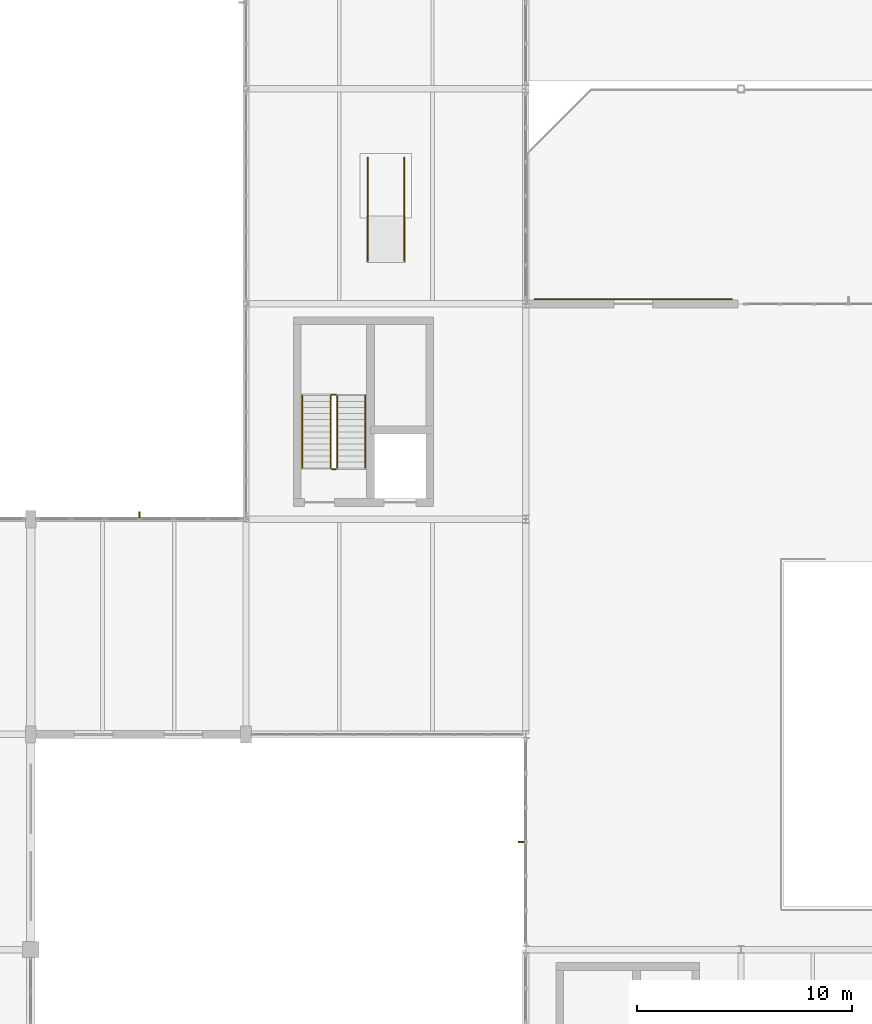
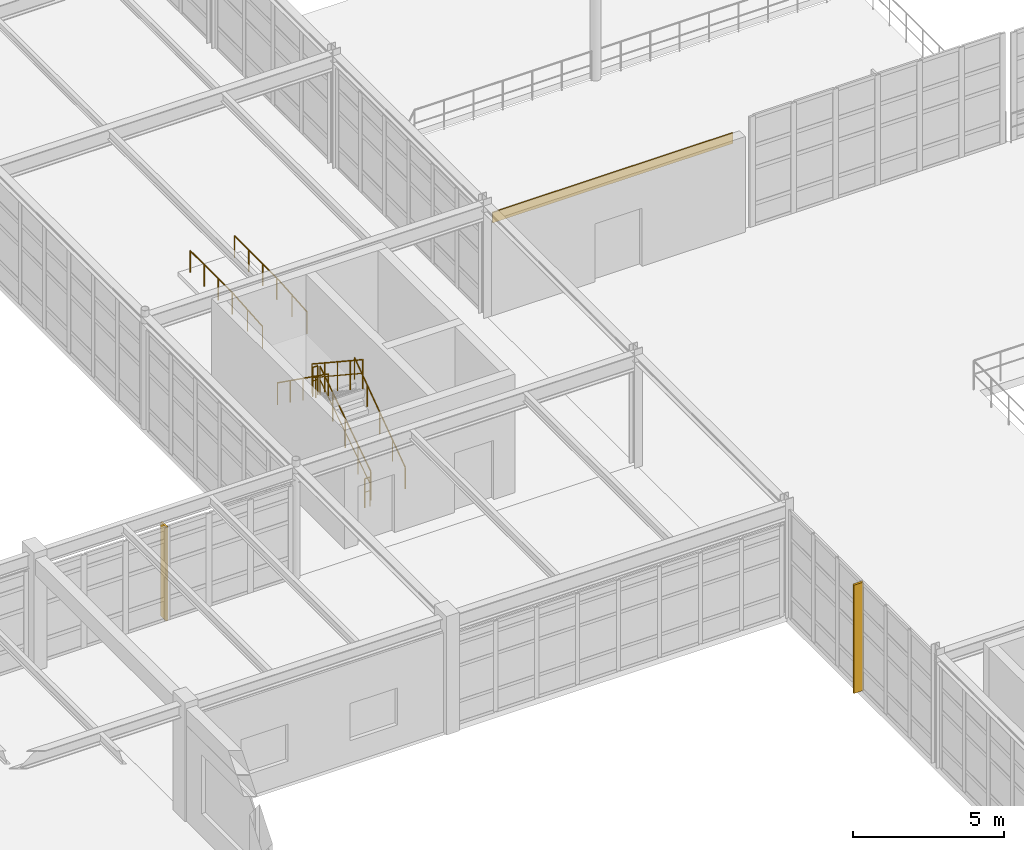
# One storey, part 131 of 139: 8 railings, 2 shading devices, 1 covering.
"""IFC4 building model written with IfcOpenShell, lengths in metres."""

from ifc_helpers import new_model, si_unit, direction, frame, origin, origin_2d, place, context, subcontext, project, spatial, polyline, rectangle, circle, outline, extrude, material, layer, layer_set, type_object, element, save


model = new_model("IFC4")

# Units and contexts
model_context = context("Model", 3, precision=1e-05, world=origin(), true_north=direction((0.0, 1.0)))
body_context = subcontext(model_context, "Body", "Model", "MODEL_VIEW")
ifc_project = project(units=[si_unit("LENGTHUNIT", "METRE"), si_unit("AREAUNIT", "SQUARE_METRE"), si_unit("VOLUMEUNIT", "CUBIC_METRE"), si_unit("PLANEANGLEUNIT", "RADIAN"), si_unit("MASSUNIT", "GRAM", prefix="KILO"), si_unit("THERMODYNAMICTEMPERATUREUNIT", "KELVIN"), si_unit("POWERUNIT", "WATT")], contexts=[model_context])

# Site, building, storey
site_placement = place(None, origin())
site = spatial("IfcSite", under=ifc_project, at=site_placement, CompositionType="ELEMENT")
building_placement = place(site_placement, origin())
building = spatial("IfcBuilding", under=site, at=building_placement, Name="Korenveer Ferry Terminal", CompositionType="ELEMENT")
storey_placement = place(building_placement, frame((0.0, 0.0, 5.39990234375)))
storey = spatial("IfcBuildingStorey", under=building, at=storey_placement, Name="L01", CompositionType="ELEMENT", Elevation=5.39990234375)

# Covering
ifc_material_1 = material(Name="Carved Belgian bluestone spandrel cladding", Category="masonry")
ifc_layer = layer(ifc_material_1, 0.050048828125)
ifc_layer_set = layer_set([ifc_layer], Name="Carved Belgian bluestone spandrel cladding")
covering_type = type_object("IfcCoveringType", Name="ENV-COV-STONE", PredefinedType="CLADDING", material=ifc_layer_set)
covering_placement = place(storey_placement, frame((0.0, 0.0, 3.4501953125)))
element("IfcCovering", 1, at=covering_placement, inside=storey, type_object=covering_type, Name="Belgian bluestone spandrel band 16", PredefinedType="CLADDING", context=body_context, shape_type="SweptSolid", body=[
    extrude(outline(polyline([(53.39990234375, 90.18505859375), (62.60009765625, 90.18505859375), (62.60009765625, 90.235107421875), (53.39990234375, 90.235107421875), (53.39990234375, 90.18505859375)])), origin(), (0.0, 0.0, 1.0), 0.419921875),
])

# Shading devices
ifc_material_2 = material(Name="Anodised bronze aluminium solar fin", Category="aluminium")
shading_device_type = type_object("IfcShadingDeviceType", Name="ENV-SHD-FIN", PredefinedType="JALOUSIE", material=ifc_material_2)
shading_device_1_placement = place(storey_placement, frame((35.056640625, 80.159912109375, -0.02001953125), z_axis=(0.0, 0.0, 1.0), x_axis=(0.0, 1.0, 0.0)))
element("IfcShadingDevice", 2, at=shading_device_1_placement, inside=storey, type_object=shading_device_type, Name="Gothic solar fin 22", PredefinedType="JALOUSIE", context=body_context, shape_type="SweptSolid", body=[
    extrude(rectangle(XDim=0.360107421875, YDim=0.080078125, at=origin_2d()), origin(), (0.0, 0.0, 1.0), 3.7900390625),
])
shading_device_2_placement = place(storey_placement, frame((52.840087890625, 65.0, -0.019775390625), z_axis=(0.0, 0.0, 1.0), x_axis=(1.0, 0.0, 0.0)))
element("IfcShadingDevice", 3, at=shading_device_2_placement, inside=storey, type_object=shading_device_type, Name="Gothic solar fin 30", PredefinedType="JALOUSIE", context=body_context, shape_type="SweptSolid", body=[
    extrude(rectangle(XDim=0.360107421875, YDim=0.080078125, at=origin_2d()), origin(), (0.0, 0.0, 1.0), 4.3798828125),
])

# Railings
ifc_material_3 = material(Name="Brushed stainless steel handrail", Category="steel")
railing_type_1 = type_object("IfcRailingType", Name="INT-RL-HND90", PredefinedType="HANDRAIL", material=ifc_material_3)
railing_1_placement = place(storey_placement, frame((45.550048828125, 82.3798828125, 0.184814453125)))
element("IfcRailing", 4, at=railing_1_placement, inside=storey, type_object=railing_type_1, Name="L01 ST07 stair handrail 1", PredefinedType="HANDRAIL", context=body_context, shape_type="SweptSolid", body=[
    extrude(circle(Radius=0.02392578125, at=origin_2d()), frame((0.0, 0.0, 0.8759765625), z_axis=(0.0, 0.813753445783, 0.581210228297), x_axis=(-1.0, 0.0, 0.0)), (0.0, 0.0, 1.0), 4.129150390625),
    extrude(circle(Radius=0.02099609375, at=origin_2d()), origin(), (0.0, 0.0, 1.0), 0.851806640625),
    extrude(circle(Radius=0.02099609375, at=origin_2d()), frame((0.0, 0.840087890625, 0.60009765625)), (0.0, 0.0, 1.0), 0.851806640625),
    extrude(circle(Radius=0.02099609375, at=origin_2d()), frame((0.0, 1.68017578125, 1.199951171875)), (0.0, 0.0, 1.0), 0.851806640625),
    extrude(circle(Radius=0.02099609375, at=origin_2d()), frame((0.0, 2.52001953125, 1.7998046875)), (0.0, 0.0, 1.0), 0.851806640625),
    extrude(circle(Radius=0.02099609375, at=origin_2d()), frame((0.0, 3.360107421875, 2.39990234375)), (0.0, 0.0, 1.0), 0.851806640625),
])
railing_2_placement = place(storey_placement, frame((42.610107421875, 85.739990234375, 2.584716796875)))
element("IfcRailing", 5, at=railing_2_placement, inside=storey, type_object=railing_type_1, Name="L01 ST07 stair handrail 2", PredefinedType="HANDRAIL", context=body_context, shape_type="SweptSolid", body=[
    extrude(circle(Radius=0.02392578125, at=origin_2d()), frame((0.0, 0.0, 0.8759765625), z_axis=(0.0, -0.813753445783, 0.581210228297), x_axis=(1.0, 0.0, 0.0)), (0.0, 0.0, 1.0), 4.129150390625),
    extrude(circle(Radius=0.02099609375, at=origin_2d()), origin(), (0.0, 0.0, 1.0), 0.851806640625),
    extrude(circle(Radius=0.02099609375, at=origin_2d()), frame((0.0, -0.840087890625, 0.60009765625)), (0.0, 0.0, 1.0), 0.851806640625),
    extrude(circle(Radius=0.02099609375, at=origin_2d()), frame((0.0, -1.68017578125, 1.199951171875)), (0.0, 0.0, 1.0), 0.851806640625),
    extrude(circle(Radius=0.02099609375, at=origin_2d()), frame((0.0, -2.52001953125, 1.7998046875)), (0.0, 0.0, 1.0), 0.851806640625),
    extrude(circle(Radius=0.02099609375, at=origin_2d()), frame((0.0, -3.360107421875, 2.39990234375)), (0.0, 0.0, 1.0), 0.851806640625),
])
ifc_material_4 = material(Name="Brushed stainless steel ramp handrail", Category="steel")
railing_type_2 = type_object("IfcRailingType", Name="INT-RL-RMPHND", PredefinedType="HANDRAIL", material=ifc_material_4)
for number, where, name in (
    (6, (45.64990234375, 92.0, 0.0), "West Berth Gate Accessible Ramp handrail W"),
    (7, (47.35009765625, 92.0, 0.0), "West Berth Gate Accessible Ramp handrail E"),
):
    element("IfcRailing", number, at=place(storey_placement, frame(where)), inside=storey, type_object=railing_type_2, Name=name, PredefinedType="HANDRAIL", context=body_context, shape_type="SweptSolid", body=[
        extrude(circle(Radius=0.02392578125, at=origin_2d()), frame((0.0, 0.0, 0.8759765625), z_axis=(0.0, 0.996809085095, 0.079822602517), x_axis=(-1.0, 0.0, 0.0)), (0.0, 0.0, 1.0), 2.00634765625),
        extrude(circle(Radius=0.02392578125, at=origin_2d()), frame((0.0, 2.0, 1.0361328125), z_axis=(0.0, 1.0, 0.0), x_axis=(-1.0, 0.0, 0.0)), (0.0, 0.0, 1.0), 2.800048828125),
        extrude(circle(Radius=0.02099609375, at=origin_2d()), origin(), (0.0, 0.0, 1.0), 0.851806640625),
        extrude(circle(Radius=0.02099609375, at=origin_2d()), frame((0.0, 1.0, 0.080078125)), (0.0, 0.0, 1.0), 0.851806640625),
        extrude(circle(Radius=0.02099609375, at=origin_2d()), frame((0.0, 2.0, 0.16015625)), (0.0, 0.0, 1.0), 0.851806640625),
        extrude(circle(Radius=0.02099609375, at=origin_2d()), frame((0.0, 2.933349609375, 0.16015625)), (0.0, 0.0, 1.0), 0.851806640625),
        extrude(circle(Radius=0.02099609375, at=origin_2d()), frame((0.0, 3.86669921875, 0.16015625)), (0.0, 0.0, 1.0), 0.851806640625),
        extrude(circle(Radius=0.02099609375, at=origin_2d()), frame((0.0, 4.800048828125, 0.16015625)), (0.0, 0.0, 1.0), 0.851806640625),
    ])
ifc_material_5 = material(Name="Painted steel stair guard", Category="steel")
railing_type_3 = type_object("IfcRailingType", Name="INT-RL-STGRD", PredefinedType="GUARDRAIL", material=ifc_material_5)
railing_3_placement = place(storey_placement, frame((44.22998046875, 82.3798828125, 0.184814453125)))
element("IfcRailing", 8, at=railing_3_placement, inside=storey, type_object=railing_type_3, Name="L01 ST07 stair guard 1", PredefinedType="GUARDRAIL", context=body_context, shape_type="SweptSolid", body=[
    extrude(circle(Radius=0.02392578125, at=origin_2d()), frame((0.0, 0.0, 1.17578125), z_axis=(0.0, 0.834876476806, 0.550437342915), x_axis=(-1.0, 0.0, 0.0)), (0.0, 0.0, 1.0), 4.024658203125),
    extrude(circle(Radius=0.01806640625, at=origin_2d()), frame((0.0, 0.0, 0.6240234375), z_axis=(0.0, 0.834876476806, 0.550437342915), x_axis=(-1.0, 0.0, 0.0)), (0.0, 0.0, 1.0), 4.024658203125),
    extrude(circle(Radius=0.02099609375, at=origin_2d()), origin(), (0.0, 0.0, 1.0), 1.15185546875),
    extrude(circle(Radius=0.02099609375, at=origin_2d()), frame((0.0, 0.840087890625, 0.5537109375)), (0.0, 0.0, 1.0), 1.15185546875),
    extrude(circle(Radius=0.02099609375, at=origin_2d()), frame((0.0, 1.68017578125, 1.107666015625)), (0.0, 0.0, 1.0), 1.15185546875),
    extrude(circle(Radius=0.02099609375, at=origin_2d()), frame((0.0, 2.52001953125, 1.66162109375)), (0.0, 0.0, 1.0), 1.15185546875),
    extrude(circle(Radius=0.02099609375, at=origin_2d()), frame((0.0, 3.360107421875, 2.21533203125)), (0.0, 0.0, 1.0), 1.15185546875),
])
railing_4_placement = place(storey_placement, frame((44.179931640625, 85.7900390625, 2.400146484375)))
element("IfcRailing", 9, at=railing_4_placement, inside=storey, type_object=railing_type_3, Name="L01 ST07 stair guard 2", PredefinedType="GUARDRAIL", context=body_context, shape_type="SweptSolid", body=[
    extrude(circle(Radius=0.02392578125, at=origin_2d()), frame((0.0, 0.0, 1.17578125), z_axis=(-1.0, 0.0, 0.0), x_axis=(0.0, -1.0, 0.0)), (0.0, 0.0, 1.0), 0.199951171875),
    extrude(circle(Radius=0.01806640625, at=origin_2d()), frame((0.0, 0.0, 0.6240234375), z_axis=(-1.0, 0.0, 0.0), x_axis=(0.0, -1.0, 0.0)), (0.0, 0.0, 1.0), 0.199951171875),
    extrude(circle(Radius=0.02099609375, at=origin_2d()), origin(), (0.0, 0.0, 1.0), 1.15185546875),
    extrude(circle(Radius=0.02099609375, at=origin_2d()), frame((-0.199951171875, 0.0, 0.0)), (0.0, 0.0, 1.0), 1.15185546875),
])
railing_5_placement = place(storey_placement, frame((43.929931640625, 85.739990234375, 2.584716796875)))
element("IfcRailing", 10, at=railing_5_placement, inside=storey, type_object=railing_type_3, Name="L01 ST07 stair guard 3", PredefinedType="GUARDRAIL", context=body_context, shape_type="SweptSolid", body=[
    extrude(circle(Radius=0.02392578125, at=origin_2d()), frame((0.0, 0.0, 1.17578125), z_axis=(0.0, -0.834876476806, 0.550437342915), x_axis=(1.0, 0.0, 0.0)), (0.0, 0.0, 1.0), 4.024658203125),
    extrude(circle(Radius=0.01806640625, at=origin_2d()), frame((0.0, 0.0, 0.6240234375), z_axis=(0.0, -0.834876476806, 0.550437342915), x_axis=(1.0, 0.0, 0.0)), (0.0, 0.0, 1.0), 4.024658203125),
    extrude(circle(Radius=0.02099609375, at=origin_2d()), origin(), (0.0, 0.0, 1.0), 1.15185546875),
    extrude(circle(Radius=0.02099609375, at=origin_2d()), frame((0.0, -0.840087890625, 0.5537109375)), (0.0, 0.0, 1.0), 1.15185546875),
    extrude(circle(Radius=0.02099609375, at=origin_2d()), frame((0.0, -1.68017578125, 1.107666015625)), (0.0, 0.0, 1.0), 1.15185546875),
    extrude(circle(Radius=0.02099609375, at=origin_2d()), frame((0.0, -2.52001953125, 1.66162109375)), (0.0, 0.0, 1.0), 1.15185546875),
    extrude(circle(Radius=0.02099609375, at=origin_2d()), frame((0.0, -3.360107421875, 2.21533203125)), (0.0, 0.0, 1.0), 1.15185546875),
])
railing_6_placement = place(storey_placement, frame((44.179931640625, 82.330078125, 0.0)))
element("IfcRailing", 11, at=railing_6_placement, inside=storey, type_object=railing_type_3, Name="L01 ST07 stair guard 4", PredefinedType="GUARDRAIL", context=body_context, shape_type="SweptSolid", body=[
    extrude(circle(Radius=0.02392578125, at=origin_2d()), frame((0.0, 0.0, 1.17578125), z_axis=(-1.0, 0.0, 0.0), x_axis=(0.0, -1.0, 0.0)), (0.0, 0.0, 1.0), 0.199951171875),
    extrude(circle(Radius=0.01806640625, at=origin_2d()), frame((0.0, 0.0, 0.6240234375), z_axis=(-1.0, 0.0, 0.0), x_axis=(0.0, -1.0, 0.0)), (0.0, 0.0, 1.0), 0.199951171875),
    extrude(circle(Radius=0.02099609375, at=origin_2d()), origin(), (0.0, 0.0, 1.0), 1.15185546875),
    extrude(circle(Radius=0.02099609375, at=origin_2d()), frame((-0.199951171875, 0.0, 0.0)), (0.0, 0.0, 1.0), 1.15185546875),
])

save(model, "model.ifc")
